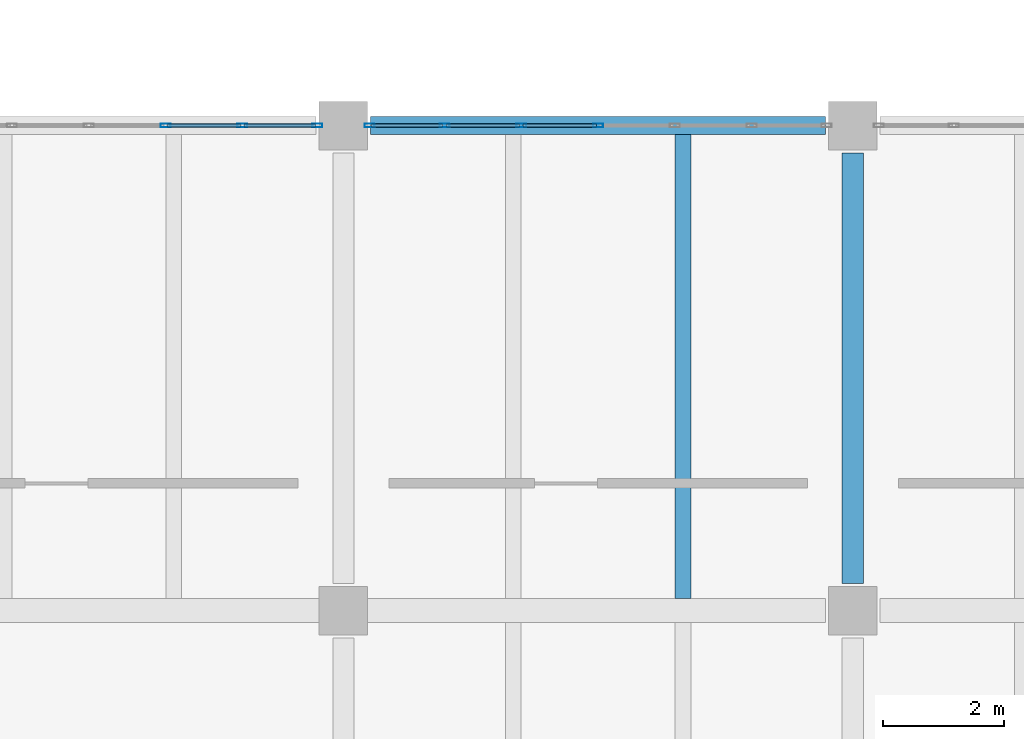
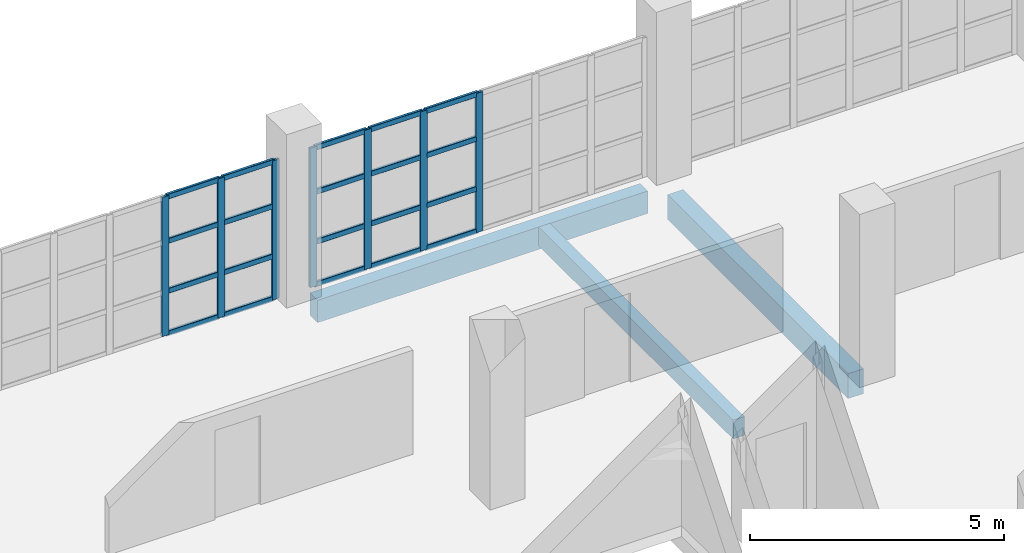
# One storey, part 45 of 177: 27 members, 3 beams, 2 elements without a shape of their own.
"""IFC4 building model written with IfcOpenShell, lengths in metres."""

from ifc_helpers import new_model, si_unit, direction, frame, origin, origin_2d, place, context, subcontext, project, spatial, rectangle, hollow_rectangle, extrude, material, layer, layer_set, material_profile, profile_set, type_object, element, aggregate, save


model = new_model("IFC4")

# Units and contexts
model_context = context("Model", 3, precision=1e-05, world=origin(), true_north=direction((0.0, 1.0)))
body_context = subcontext(model_context, "Body", "Model", "MODEL_VIEW")
ifc_project = project(units=[si_unit("LENGTHUNIT", "METRE"), si_unit("AREAUNIT", "SQUARE_METRE"), si_unit("VOLUMEUNIT", "CUBIC_METRE"), si_unit("PLANEANGLEUNIT", "RADIAN"), si_unit("MASSUNIT", "GRAM", prefix="KILO"), si_unit("THERMODYNAMICTEMPERATUREUNIT", "KELVIN"), si_unit("POWERUNIT", "WATT")], contexts=[model_context])

# Site, building, storey
site_placement = place(None, origin())
site = spatial("IfcSite", under=ifc_project, at=site_placement, CompositionType="ELEMENT")
building_placement = place(site_placement, origin())
building = spatial("IfcBuilding", under=site, at=building_placement, Name="Mavoryth Pier Ferry Terminal", CompositionType="ELEMENT")
storey_placement = place(building_placement, frame((0.0, 0.0, 5.43994140625)))
storey = spatial("IfcBuildingStorey", under=building, at=storey_placement, Name="L01", CompositionType="ELEMENT", Elevation=5.43994140625)

# Beams
ifc_material_1 = material(Name="Concrete C35/45", Category="concrete")
ifc_material_profile_1 = material_profile(ifc_material_1, rectangle(XDim=0.35009765625, YDim=0.60009765625, at=origin_2d()), Name="RC 350x600", Category="concrete")
ifc_profile_set_1 = profile_set([ifc_material_profile_1], Name="Concrete C35/45 - RC 350x600")
beam_type_1 = type_object("IfcBeamType", Name="Girder-RC-350x600", PredefinedType="BEAM", material=ifc_profile_set_1)
beam_1_placement = place(storey_placement, frame((75.60009765625, 14.449951171875, -0.56005859375), z_axis=(0.0, 1.0, 0.0), x_axis=(-1.0, 0.0, 0.0)))
element("IfcBeam", 1, at=beam_1_placement, inside=storey, type_object=beam_type_1, Name="Beam B01-BG08-0548", PredefinedType="BEAM", context=body_context, shape_type="SweptSolid", body=[
    extrude(rectangle(XDim=0.35009765625, YDim=0.60009765625, at=origin_2d()), origin(), (0.0, 0.0, 1.0), 7.10009765625),
])
ifc_material_profile_2 = material_profile(ifc_material_1, rectangle(XDim=0.260009765625, YDim=0.449951171875, at=origin_2d()), Name="RC 260x450", Category="concrete")
ifc_profile_set_2 = profile_set([ifc_material_profile_2], Name="Concrete C35/45 - RC 260x450")
beam_type_2 = type_object("IfcBeamType", Name="Joist-RC-260x450", PredefinedType="JOIST", material=ifc_profile_set_2)
beam_2_placement = place(storey_placement, frame((72.800048828125, 14.199951171875, -0.48486328125), z_axis=(0.0, 1.0, 0.0), x_axis=(-1.0, 0.0, 0.0)))
element("IfcBeam", 2, at=beam_2_placement, inside=storey, type_object=beam_type_2, Name="Beam B01-BJ03-0574", PredefinedType="JOIST", context=body_context, shape_type="SweptSolid", body=[
    extrude(rectangle(XDim=0.260009765625, YDim=0.449951171875, at=origin_2d()), origin(), (0.0, 0.0, 1.0), 7.650146484375),
])

# Curtain wall, members
ifc_material_2 = material(Name="Anodised Aluminium and Solar-Control Low-E Glass", Category="aluminium")
ifc_layer = layer(ifc_material_2, 0.239990234375, Name="Anodised Aluminium and Solar-Control Low-E Glass", Category="aluminium")
ifc_layer_set = layer_set([ifc_layer], Name="Anodised Aluminium and Solar-Control Low-E Glass - CW-Operations-Mod1200")
curtain_wall_type = type_object("IfcCurtainWallType", Name="CW-Operations-Mod1200", PredefinedType="USERDEFINED", material=ifc_layer_set)
curtain_wall_1_placement = place(storey_placement, origin())
curtain_wall_1 = element("IfcCurtainWall", 3, at=curtain_wall_1_placement, inside=storey, type_object=curtain_wall_type, Name="Curtain Wall CW-0122-113", ObjectType="UNITISED CURTAIN WALL", PredefinedType="USERDEFINED")
ifc_material_3 = material(Name="Anodised Aluminium EN AW-6063", Category="aluminium")
ifc_material_profile_3 = material_profile(ifc_material_3, hollow_rectangle(XDim=0.06005859375, YDim=0.1650390625, WallThickness=0.00390625, InnerFilletRadius=0.00390625, OuterFilletRadius=0.008056640625, at=origin_2d()), Name="AL-MULL 165x60x4", Category="aluminium")
ifc_profile_set_3 = profile_set([ifc_material_profile_3], Name="Anodised Aluminium EN AW-6063 - AL-MULL 165x60x4")
member_type_1 = type_object("IfcMemberType", Name="Mullion-Alum-165x60", PredefinedType="MULLION", material=ifc_profile_set_3)
member_1_placement = place(storey_placement, frame((66.77001953125, 22.0, 0.0), z_axis=(0.0, 0.0, 1.0), x_axis=(0.0, -1.0, 0.0)))
member_1 = element("IfcMember", 4, at=member_1_placement, type_object=member_type_1, Name="CW06 mullion 1", PredefinedType="MULLION", context=body_context, shape_type="SweptSolid", body=[
    extrude(hollow_rectangle(XDim=0.06005859375, YDim=0.1650390625, WallThickness=0.00390625, InnerFilletRadius=0.00390625, OuterFilletRadius=0.008056640625, at=origin_2d()), origin(), (0.0, 0.0, 1.0), 3.344970703125),
])
member_2_placement = place(storey_placement, frame((65.533447265625, 22.0, 0.0), z_axis=(0.0, 0.0, 1.0), x_axis=(0.0, -1.0, 0.0)))
member_2 = element("IfcMember", 5, at=member_2_placement, type_object=member_type_1, Name="CW06 mullion 2", PredefinedType="MULLION", context=body_context, shape_type="SweptSolid", body=[
    extrude(hollow_rectangle(XDim=0.06005859375, YDim=0.1650390625, WallThickness=0.00390625, InnerFilletRadius=0.00390625, OuterFilletRadius=0.008056640625, at=origin_2d()), origin(), (0.0, 0.0, 1.0), 3.344970703125),
])
member_3_placement = place(storey_placement, frame((64.2666015625, 22.0, 0.0), z_axis=(0.0, 0.0, 1.0), x_axis=(0.0, -1.0, 0.0)))
member_3 = element("IfcMember", 6, at=member_3_placement, type_object=member_type_1, Name="CW06 mullion 3", PredefinedType="MULLION", context=body_context, shape_type="SweptSolid", body=[
    extrude(hollow_rectangle(XDim=0.06005859375, YDim=0.1650390625, WallThickness=0.00390625, InnerFilletRadius=0.00390625, OuterFilletRadius=0.008056640625, at=origin_2d()), origin(), (0.0, 0.0, 1.0), 3.344970703125),
])

curtain_wall_2_placement = place(storey_placement, origin())
curtain_wall_2 = element("IfcCurtainWall", 7, at=curtain_wall_2_placement, inside=storey, type_object=curtain_wall_type, Name="Curtain Wall CW-0122-115", ObjectType="UNITISED CURTAIN WALL", PredefinedType="USERDEFINED")
member_4_placement = place(storey_placement, frame((71.39990234375, 22.0, 0.0), z_axis=(0.0, 0.0, 1.0), x_axis=(0.0, -1.0, 0.0)))
member_4 = element("IfcMember", 8, at=member_4_placement, type_object=member_type_1, Name="CW06 mullion 4", PredefinedType="MULLION", context=body_context, shape_type="SweptSolid", body=[
    extrude(hollow_rectangle(XDim=0.06005859375, YDim=0.1650390625, WallThickness=0.00390625, InnerFilletRadius=0.00390625, OuterFilletRadius=0.008056640625, at=origin_2d()), origin(), (0.0, 0.0, 1.0), 3.344970703125),
])
member_5_placement = place(storey_placement, frame((70.13330078125, 22.0, 0.0), z_axis=(0.0, 0.0, 1.0), x_axis=(0.0, -1.0, 0.0)))
member_5 = element("IfcMember", 9, at=member_5_placement, type_object=member_type_1, Name="CW06 mullion 5", PredefinedType="MULLION", context=body_context, shape_type="SweptSolid", body=[
    extrude(hollow_rectangle(XDim=0.06005859375, YDim=0.1650390625, WallThickness=0.00390625, InnerFilletRadius=0.00390625, OuterFilletRadius=0.008056640625, at=origin_2d()), origin(), (0.0, 0.0, 1.0), 3.344970703125),
])
member_6_placement = place(storey_placement, frame((68.86669921875, 22.0, 0.0), z_axis=(0.0, 0.0, 1.0), x_axis=(0.0, -1.0, 0.0)))
member_6 = element("IfcMember", 10, at=member_6_placement, type_object=member_type_1, Name="CW06 mullion 6", PredefinedType="MULLION", context=body_context, shape_type="SweptSolid", body=[
    extrude(hollow_rectangle(XDim=0.06005859375, YDim=0.1650390625, WallThickness=0.00390625, InnerFilletRadius=0.00390625, OuterFilletRadius=0.008056640625, at=origin_2d()), origin(), (0.0, 0.0, 1.0), 3.344970703125),
])
member_7_placement = place(storey_placement, frame((67.6298828125, 22.0, 0.0), z_axis=(0.0, 0.0, 1.0), x_axis=(0.0, -1.0, 0.0)))
member_7 = element("IfcMember", 11, at=member_7_placement, type_object=member_type_1, Name="CW06 mullion 7", PredefinedType="MULLION", context=body_context, shape_type="SweptSolid", body=[
    extrude(hollow_rectangle(XDim=0.06005859375, YDim=0.1650390625, WallThickness=0.00390625, InnerFilletRadius=0.00390625, OuterFilletRadius=0.008056640625, at=origin_2d()), origin(), (0.0, 0.0, 1.0), 3.344970703125),
])

# Beam
ifc_material_profile_4 = material_profile(ifc_material_1, rectangle(XDim=0.300048828125, YDim=0.5400390625, at=origin_2d()), Name="RC 300x540", Category="concrete")
ifc_profile_set_4 = profile_set([ifc_material_profile_4], Name="Concrete C35/45 - RC 300x540")
beam_type_3 = type_object("IfcBeamType", Name="Spandrel-RC-300x540", PredefinedType="SPANDREL", material=ifc_profile_set_4)
beam_3_placement = place(storey_placement, frame((67.64990234375, 22.0, -0.530029296875), z_axis=(1.0, 0.0, 0.0), x_axis=(0.0, 1.0, 0.0)))
element("IfcBeam", 12, at=beam_3_placement, inside=storey, type_object=beam_type_3, Name="Beam B01-SP02-0531", PredefinedType="SPANDREL", context=body_context, shape_type="SweptSolid", body=[
    extrude(rectangle(XDim=0.300048828125, YDim=0.5400390625, at=origin_2d()), origin(), (0.0, 0.0, 1.0), 7.5),
])

# Member
ifc_material_profile_5 = material_profile(ifc_material_3, hollow_rectangle(XDim=0.06005859375, YDim=0.125, WallThickness=0.00390625, InnerFilletRadius=0.00390625, OuterFilletRadius=0.008056640625, at=origin_2d()), Name="AL-TRAN 125x60x4", Category="aluminium")
ifc_profile_set_5 = profile_set([ifc_material_profile_5], Name="Anodised Aluminium EN AW-6063 - AL-TRAN 125x60x4")
member_type_2 = type_object("IfcMemberType", Name="Transom-Alum-125x60", PredefinedType="USERDEFINED", material=ifc_profile_set_5)
member_8_placement = place(storey_placement, frame((66.739990234375, 22.0, 0.030029296875), z_axis=(-1.0, 0.0, 0.0), x_axis=(0.0, -1.0, 0.0)))
member_8 = element("IfcMember", 13, at=member_8_placement, type_object=member_type_2, Name="CW06 transom 1.1", ObjectType="TRANSOM", PredefinedType="USERDEFINED", context=body_context, shape_type="SweptSolid", body=[
    extrude(hollow_rectangle(XDim=0.06005859375, YDim=0.125, WallThickness=0.00390625, InnerFilletRadius=0.00390625, OuterFilletRadius=0.008056640625, at=origin_2d()), origin(), (0.0, 0.0, 1.0), 1.1767578125),
])

member_9_placement = place(storey_placement, frame((66.739990234375, 22.0, 1.050048828125), z_axis=(-1.0, 0.0, 0.0), x_axis=(0.0, -1.0, 0.0)))
member_9 = element("IfcMember", 14, at=member_9_placement, type_object=member_type_2, Name="CW06 transom 1.2", ObjectType="TRANSOM", PredefinedType="USERDEFINED", context=body_context, shape_type="SweptSolid", body=[
    extrude(hollow_rectangle(XDim=0.06005859375, YDim=0.125, WallThickness=0.00390625, InnerFilletRadius=0.00390625, OuterFilletRadius=0.008056640625, at=origin_2d()), origin(), (0.0, 0.0, 1.0), 1.1767578125),
])

member_10_placement = place(storey_placement, frame((66.739990234375, 22.0, 2.25), z_axis=(-1.0, 0.0, 0.0), x_axis=(0.0, -1.0, 0.0)))
member_10 = element("IfcMember", 15, at=member_10_placement, type_object=member_type_2, Name="CW06 transom 1.3", ObjectType="TRANSOM", PredefinedType="USERDEFINED", context=body_context, shape_type="SweptSolid", body=[
    extrude(hollow_rectangle(XDim=0.06005859375, YDim=0.125, WallThickness=0.00390625, InnerFilletRadius=0.00390625, OuterFilletRadius=0.008056640625, at=origin_2d()), origin(), (0.0, 0.0, 1.0), 1.1767578125),
])

member_11_placement = place(storey_placement, frame((66.739990234375, 22.0, 3.31494140625), z_axis=(-1.0, 0.0, 0.0), x_axis=(0.0, -1.0, 0.0)))
member_11 = element("IfcMember", 16, at=member_11_placement, type_object=member_type_2, Name="CW06 transom 1.4", ObjectType="TRANSOM", PredefinedType="USERDEFINED", context=body_context, shape_type="SweptSolid", body=[
    extrude(hollow_rectangle(XDim=0.06005859375, YDim=0.125, WallThickness=0.00390625, InnerFilletRadius=0.00390625, OuterFilletRadius=0.008056640625, at=origin_2d()), origin(), (0.0, 0.0, 1.0), 1.1767578125),
])

member_12_placement = place(storey_placement, frame((65.50341796875, 22.0, 0.030029296875), z_axis=(-1.0, 0.0, 0.0), x_axis=(0.0, -1.0, 0.0)))
member_12 = element("IfcMember", 17, at=member_12_placement, type_object=member_type_2, Name="CW06 transom 2.1", ObjectType="TRANSOM", PredefinedType="USERDEFINED", context=body_context, shape_type="SweptSolid", body=[
    extrude(hollow_rectangle(XDim=0.06005859375, YDim=0.125, WallThickness=0.00390625, InnerFilletRadius=0.00390625, OuterFilletRadius=0.008056640625, at=origin_2d()), origin(), (0.0, 0.0, 1.0), 1.206787109375),
])

member_13_placement = place(storey_placement, frame((65.50341796875, 22.0, 1.050048828125), z_axis=(-1.0, 0.0, 0.0), x_axis=(0.0, -1.0, 0.0)))
member_13 = element("IfcMember", 18, at=member_13_placement, type_object=member_type_2, Name="CW06 transom 2.2", ObjectType="TRANSOM", PredefinedType="USERDEFINED", context=body_context, shape_type="SweptSolid", body=[
    extrude(hollow_rectangle(XDim=0.06005859375, YDim=0.125, WallThickness=0.00390625, InnerFilletRadius=0.00390625, OuterFilletRadius=0.008056640625, at=origin_2d()), origin(), (0.0, 0.0, 1.0), 1.206787109375),
])

member_14_placement = place(storey_placement, frame((65.50341796875, 22.0, 2.25), z_axis=(-1.0, 0.0, 0.0), x_axis=(0.0, -1.0, 0.0)))
member_14 = element("IfcMember", 19, at=member_14_placement, type_object=member_type_2, Name="CW06 transom 2.3", ObjectType="TRANSOM", PredefinedType="USERDEFINED", context=body_context, shape_type="SweptSolid", body=[
    extrude(hollow_rectangle(XDim=0.06005859375, YDim=0.125, WallThickness=0.00390625, InnerFilletRadius=0.00390625, OuterFilletRadius=0.008056640625, at=origin_2d()), origin(), (0.0, 0.0, 1.0), 1.206787109375),
])

member_15_placement = place(storey_placement, frame((65.50341796875, 22.0, 3.31494140625), z_axis=(-1.0, 0.0, 0.0), x_axis=(0.0, -1.0, 0.0)))
member_15 = element("IfcMember", 20, at=member_15_placement, type_object=member_type_2, Name="CW06 transom 2.4", ObjectType="TRANSOM", PredefinedType="USERDEFINED", context=body_context, shape_type="SweptSolid", body=[
    extrude(hollow_rectangle(XDim=0.06005859375, YDim=0.125, WallThickness=0.00390625, InnerFilletRadius=0.00390625, OuterFilletRadius=0.008056640625, at=origin_2d()), origin(), (0.0, 0.0, 1.0), 1.206787109375),
])

aggregate(curtain_wall_1, [member_1, member_2, member_3, member_8, member_9, member_10, member_11, member_12, member_13, member_14, member_15])

member_16_placement = place(storey_placement, frame((71.3701171875, 22.0, 0.030029296875), z_axis=(-1.0, 0.0, 0.0), x_axis=(0.0, -1.0, 0.0)))
member_16 = element("IfcMember", 21, at=member_16_placement, type_object=member_type_2, Name="CW06 transom 4.1", ObjectType="TRANSOM", PredefinedType="USERDEFINED", context=body_context, shape_type="SweptSolid", body=[
    extrude(hollow_rectangle(XDim=0.06005859375, YDim=0.125, WallThickness=0.00390625, InnerFilletRadius=0.00390625, OuterFilletRadius=0.008056640625, at=origin_2d()), origin(), (0.0, 0.0, 1.0), 1.206787109375),
])

member_17_placement = place(storey_placement, frame((71.3701171875, 22.0, 1.050048828125), z_axis=(-1.0, 0.0, 0.0), x_axis=(0.0, -1.0, 0.0)))
member_17 = element("IfcMember", 22, at=member_17_placement, type_object=member_type_2, Name="CW06 transom 4.2", ObjectType="TRANSOM", PredefinedType="USERDEFINED", context=body_context, shape_type="SweptSolid", body=[
    extrude(hollow_rectangle(XDim=0.06005859375, YDim=0.125, WallThickness=0.00390625, InnerFilletRadius=0.00390625, OuterFilletRadius=0.008056640625, at=origin_2d()), origin(), (0.0, 0.0, 1.0), 1.206787109375),
])

member_18_placement = place(storey_placement, frame((71.3701171875, 22.0, 2.25), z_axis=(-1.0, 0.0, 0.0), x_axis=(0.0, -1.0, 0.0)))
member_18 = element("IfcMember", 23, at=member_18_placement, type_object=member_type_2, Name="CW06 transom 4.3", ObjectType="TRANSOM", PredefinedType="USERDEFINED", context=body_context, shape_type="SweptSolid", body=[
    extrude(hollow_rectangle(XDim=0.06005859375, YDim=0.125, WallThickness=0.00390625, InnerFilletRadius=0.00390625, OuterFilletRadius=0.008056640625, at=origin_2d()), origin(), (0.0, 0.0, 1.0), 1.206787109375),
])

member_19_placement = place(storey_placement, frame((71.3701171875, 22.0, 3.31494140625), z_axis=(-1.0, 0.0, 0.0), x_axis=(0.0, -1.0, 0.0)))
member_19 = element("IfcMember", 24, at=member_19_placement, type_object=member_type_2, Name="CW06 transom 4.4", ObjectType="TRANSOM", PredefinedType="USERDEFINED", context=body_context, shape_type="SweptSolid", body=[
    extrude(hollow_rectangle(XDim=0.06005859375, YDim=0.125, WallThickness=0.00390625, InnerFilletRadius=0.00390625, OuterFilletRadius=0.008056640625, at=origin_2d()), origin(), (0.0, 0.0, 1.0), 1.206787109375),
])

member_20_placement = place(storey_placement, frame((70.103271484375, 22.0, 0.030029296875), z_axis=(-1.0, 0.0, 0.0), x_axis=(0.0, -1.0, 0.0)))
member_20 = element("IfcMember", 25, at=member_20_placement, type_object=member_type_2, Name="CW06 transom 5.1", ObjectType="TRANSOM", PredefinedType="USERDEFINED", context=body_context, shape_type="SweptSolid", body=[
    extrude(hollow_rectangle(XDim=0.06005859375, YDim=0.125, WallThickness=0.00390625, InnerFilletRadius=0.00390625, OuterFilletRadius=0.008056640625, at=origin_2d()), origin(), (0.0, 0.0, 1.0), 1.20654296875),
])

member_21_placement = place(storey_placement, frame((70.103271484375, 22.0, 1.050048828125), z_axis=(-1.0, 0.0, 0.0), x_axis=(0.0, -1.0, 0.0)))
member_21 = element("IfcMember", 26, at=member_21_placement, type_object=member_type_2, Name="CW06 transom 5.2", ObjectType="TRANSOM", PredefinedType="USERDEFINED", context=body_context, shape_type="SweptSolid", body=[
    extrude(hollow_rectangle(XDim=0.06005859375, YDim=0.125, WallThickness=0.00390625, InnerFilletRadius=0.00390625, OuterFilletRadius=0.008056640625, at=origin_2d()), origin(), (0.0, 0.0, 1.0), 1.20654296875),
])

member_22_placement = place(storey_placement, frame((70.103271484375, 22.0, 2.25), z_axis=(-1.0, 0.0, 0.0), x_axis=(0.0, -1.0, 0.0)))
member_22 = element("IfcMember", 27, at=member_22_placement, type_object=member_type_2, Name="CW06 transom 5.3", ObjectType="TRANSOM", PredefinedType="USERDEFINED", context=body_context, shape_type="SweptSolid", body=[
    extrude(hollow_rectangle(XDim=0.06005859375, YDim=0.125, WallThickness=0.00390625, InnerFilletRadius=0.00390625, OuterFilletRadius=0.008056640625, at=origin_2d()), origin(), (0.0, 0.0, 1.0), 1.20654296875),
])

member_23_placement = place(storey_placement, frame((70.103271484375, 22.0, 3.31494140625), z_axis=(-1.0, 0.0, 0.0), x_axis=(0.0, -1.0, 0.0)))
member_23 = element("IfcMember", 28, at=member_23_placement, type_object=member_type_2, Name="CW06 transom 5.4", ObjectType="TRANSOM", PredefinedType="USERDEFINED", context=body_context, shape_type="SweptSolid", body=[
    extrude(hollow_rectangle(XDim=0.06005859375, YDim=0.125, WallThickness=0.00390625, InnerFilletRadius=0.00390625, OuterFilletRadius=0.008056640625, at=origin_2d()), origin(), (0.0, 0.0, 1.0), 1.20654296875),
])

member_24_placement = place(storey_placement, frame((68.836669921875, 22.0, 0.030029296875), z_axis=(-1.0, 0.0, 0.0), x_axis=(0.0, -1.0, 0.0)))
member_24 = element("IfcMember", 29, at=member_24_placement, type_object=member_type_2, Name="CW06 transom 6.1", ObjectType="TRANSOM", PredefinedType="USERDEFINED", context=body_context, shape_type="SweptSolid", body=[
    extrude(hollow_rectangle(XDim=0.06005859375, YDim=0.125, WallThickness=0.00390625, InnerFilletRadius=0.00390625, OuterFilletRadius=0.008056640625, at=origin_2d()), origin(), (0.0, 0.0, 1.0), 1.1767578125),
])

member_25_placement = place(storey_placement, frame((68.836669921875, 22.0, 1.050048828125), z_axis=(-1.0, 0.0, 0.0), x_axis=(0.0, -1.0, 0.0)))
member_25 = element("IfcMember", 30, at=member_25_placement, type_object=member_type_2, Name="CW06 transom 6.2", ObjectType="TRANSOM", PredefinedType="USERDEFINED", context=body_context, shape_type="SweptSolid", body=[
    extrude(hollow_rectangle(XDim=0.06005859375, YDim=0.125, WallThickness=0.00390625, InnerFilletRadius=0.00390625, OuterFilletRadius=0.008056640625, at=origin_2d()), origin(), (0.0, 0.0, 1.0), 1.1767578125),
])

member_26_placement = place(storey_placement, frame((68.836669921875, 22.0, 2.25), z_axis=(-1.0, 0.0, 0.0), x_axis=(0.0, -1.0, 0.0)))
member_26 = element("IfcMember", 31, at=member_26_placement, type_object=member_type_2, Name="CW06 transom 6.3", ObjectType="TRANSOM", PredefinedType="USERDEFINED", context=body_context, shape_type="SweptSolid", body=[
    extrude(hollow_rectangle(XDim=0.06005859375, YDim=0.125, WallThickness=0.00390625, InnerFilletRadius=0.00390625, OuterFilletRadius=0.008056640625, at=origin_2d()), origin(), (0.0, 0.0, 1.0), 1.1767578125),
])

member_27_placement = place(storey_placement, frame((68.836669921875, 22.0, 3.31494140625), z_axis=(-1.0, 0.0, 0.0), x_axis=(0.0, -1.0, 0.0)))
member_27 = element("IfcMember", 32, at=member_27_placement, type_object=member_type_2, Name="CW06 transom 6.4", ObjectType="TRANSOM", PredefinedType="USERDEFINED", context=body_context, shape_type="SweptSolid", body=[
    extrude(hollow_rectangle(XDim=0.06005859375, YDim=0.125, WallThickness=0.00390625, InnerFilletRadius=0.00390625, OuterFilletRadius=0.008056640625, at=origin_2d()), origin(), (0.0, 0.0, 1.0), 1.1767578125),
])

aggregate(curtain_wall_2, [member_4, member_5, member_6, member_7, member_16, member_17, member_18, member_19, member_20, member_21, member_22, member_23, member_24, member_25, member_26, member_27])

save(model, "model.ifc")
